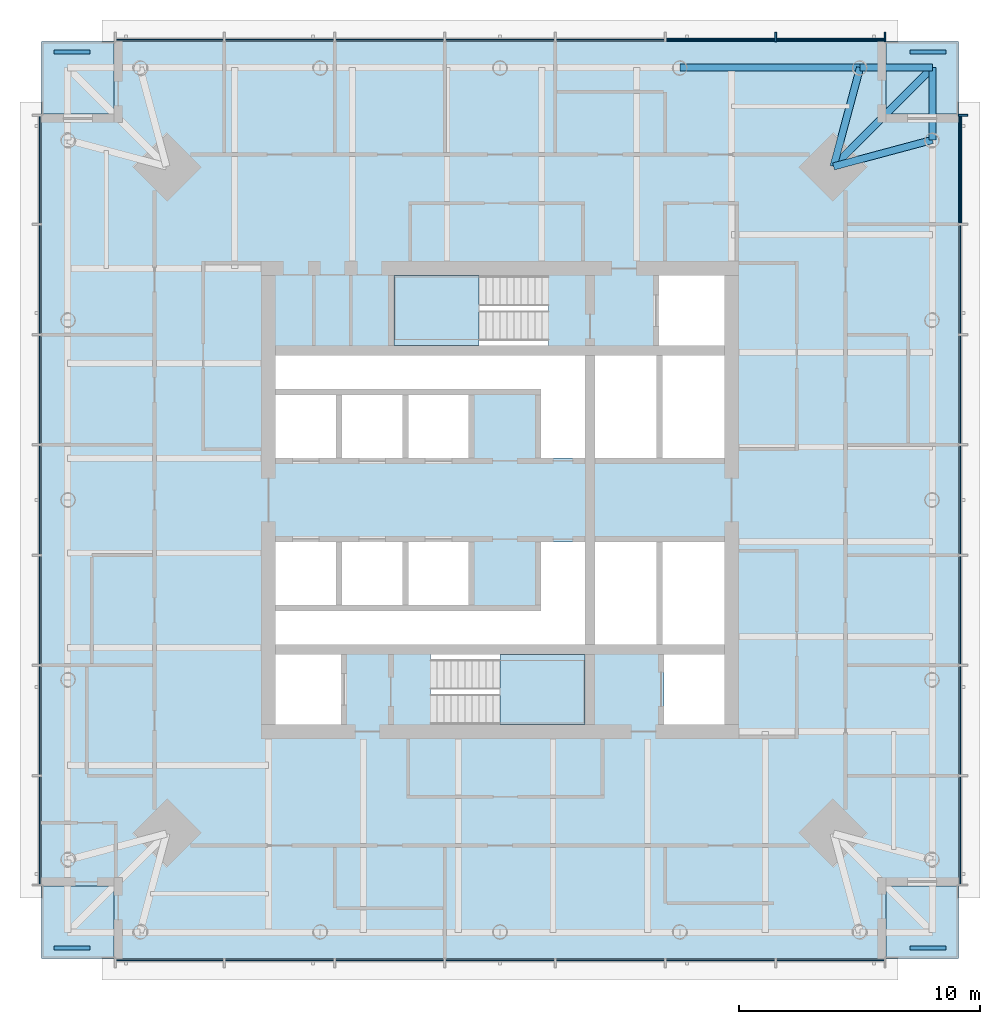
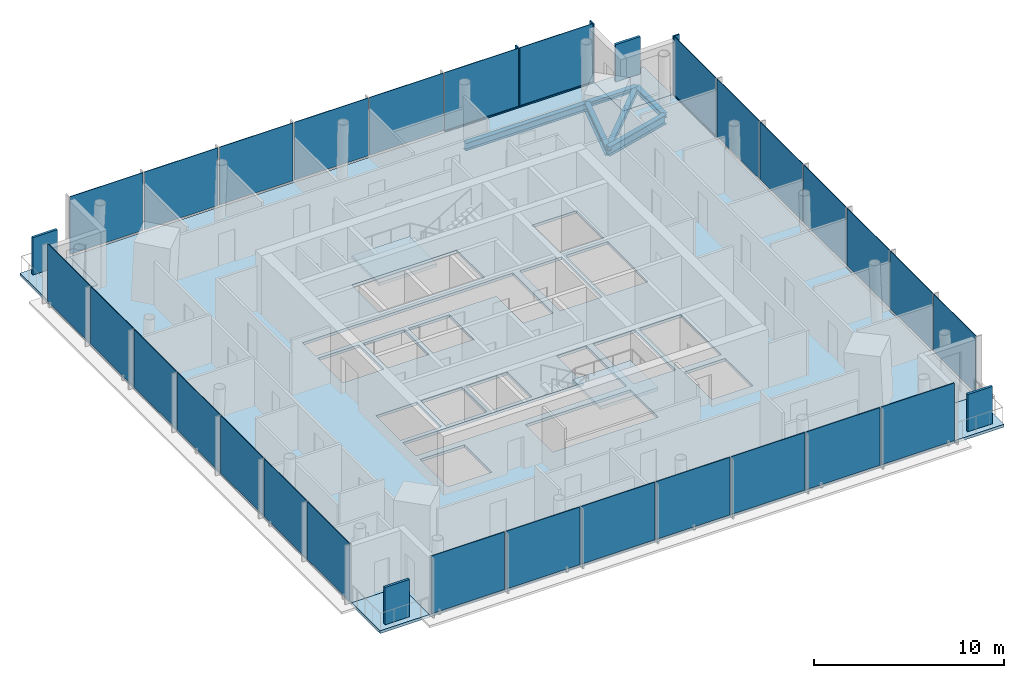
# One storey, part 3 of 11: 32 plates, 7 slabs, 6 beams, 6 members, 6 elements without a shape of their own.
"""IFC4 building model written with IfcOpenShell, lengths in metres."""

from ifc_helpers import new_model, si_unit, direction, frame, origin, origin_2d, place, context, subcontext, project, spatial, polyline, rectangle, i_section, outline, extrude, material, layer, layer_set, material_profile, profile_set, type_object, element, aggregate, save


model = new_model("IFC4")

# Units and contexts
model_context = context("Model", 3, precision=1e-05, world=origin(), true_north=direction((0.0, 1.0)))
body_context = subcontext(model_context, "Body", "Model", "MODEL_VIEW")
ifc_project = project(units=[si_unit("LENGTHUNIT", "METRE"), si_unit("AREAUNIT", "SQUARE_METRE"), si_unit("VOLUMEUNIT", "CUBIC_METRE"), si_unit("PLANEANGLEUNIT", "RADIAN"), si_unit("MASSUNIT", "GRAM", prefix="KILO")], contexts=[model_context])

# Site, building, storey
site_placement = place(None, origin())
site = spatial("IfcSite", under=ifc_project, at=site_placement, CompositionType="ELEMENT")
building_placement = place(site_placement, origin())
building = spatial("IfcBuilding", under=site, at=building_placement, Name="Ostroluk Exchange", CompositionType="ELEMENT")
storey_placement = place(building_placement, frame((0.0, 0.0, 211.0)))
storey = spatial("IfcBuildingStorey", under=building, at=storey_placement, Name="L54", CompositionType="ELEMENT", Elevation=211.0)

# Beams
ifc_material_1 = material(Name="Steel S355", Category="steel")
ifc_material_profile_1 = material_profile(ifc_material_1, i_section(OverallWidth=0.300048828125, OverallDepth=0.300048828125, WebThickness=0.010986328125, FlangeThickness=0.01904296875, FilletRadius=0.027099609375, at=origin_2d()), Name="HEB 300")
ifc_profile_set_1 = profile_set([ifc_material_profile_1], Name="Steel S355")
beam_type_1 = type_object("IfcBeamType", Name="Balcony beam HEB 300", PredefinedType="BEAM", material=ifc_profile_set_1)
for number, where, z_axis, x_axis, name in (
    (1, (62.928466796875, 60.928466796875, -0.330078125), (0.0, 1.0, 0.0), (-1.0, 0.0, 0.0), "T1 east balcony beam a"),
    (2, (59.928466796875, 63.928466796875, -0.330078125), (1.0, 0.0, 0.0), (0.0, 1.0, 0.0), "T1 east balcony beam b"),
):
    element("IfcBeam", number, at=place(storey_placement, frame(where, z_axis=z_axis, x_axis=x_axis)), inside=storey, type_object=beam_type_1, Name=name, PredefinedType="BEAM", context=body_context, shape_type="SweptSolid", body=[
        extrude(i_section(OverallWidth=0.300048828125, OverallDepth=0.300048828125, WebThickness=0.010986328125, FlangeThickness=0.01904296875, FilletRadius=0.027099609375, at=origin_2d()), origin(), (0.0, 0.0, 1.0), 3.0),
    ])
beam_1_placement = place(storey_placement, frame((58.82861328125, 59.82861328125, -0.330078125), z_axis=(0.707106781187, 0.707106781187, 0.0), x_axis=(-0.707106781187, 0.707106781187, 0.0)))
element("IfcBeam", 3, at=beam_1_placement, inside=storey, type_object=beam_type_1, Name="T1 east balcony beam c", PredefinedType="BEAM", context=body_context, shape_type="SweptSolid", body=[
    extrude(i_section(OverallWidth=0.300048828125, OverallDepth=0.300048828125, WebThickness=0.010986328125, FlangeThickness=0.01904296875, FilletRadius=0.027099609375, at=origin_2d()), origin(), (0.0, 0.0, 1.0), 5.798095703125),
])
ifc_material_2 = material(Name="Steel S355", Category="steel")
ifc_material_profile_2 = material_profile(ifc_material_2, i_section(OverallWidth=0.300048828125, OverallDepth=0.60009765625, WebThickness=0.015380859375, FlangeThickness=0.030029296875, FilletRadius=0.027099609375, at=origin_2d()), Name="HEB 600")
ifc_profile_set_2 = profile_set([ifc_material_profile_2], Name="Steel S355")
beam_type_2 = type_object("IfcBeamType", Name="Corner edge beam HEB 600", PredefinedType="SPANDREL", material=ifc_profile_set_2)
for number, where, z_axis, x_axis, name in (
    (4, (58.82861328125, 59.82861328125, -0.47998046875), (0.965849156574, 0.259105011038, 0.0), (-0.259105011038, 0.965849156574, 0.0), "T1 east corner edge beam a"),
    (5, (58.82861328125, 59.82861328125, -0.47998046875), (0.259105011038, 0.965849156574, 0.0), (-0.965849156574, 0.259105011038, 0.0), "T1 east corner edge beam b"),
):
    element("IfcBeam", number, at=place(storey_placement, frame(where, z_axis=z_axis, x_axis=x_axis)), inside=storey, type_object=beam_type_2, Name=name, PredefinedType="SPANDREL", context=body_context, shape_type="SweptSolid", body=[
        extrude(i_section(OverallWidth=0.300048828125, OverallDepth=0.60009765625, WebThickness=0.015380859375, FlangeThickness=0.030029296875, FilletRadius=0.027099609375, at=origin_2d()), origin(), (0.0, 0.0, 1.0), 4.244873046875),
    ])
ifc_material_3 = material(Name="Steel S355", Category="steel")
ifc_material_profile_3 = material_profile(ifc_material_3, i_section(OverallWidth=0.300048828125, OverallDepth=0.5, WebThickness=0.014404296875, FlangeThickness=0.028076171875, FilletRadius=0.027099609375, at=origin_2d()), Name="HEB 500")
ifc_profile_set_3 = profile_set([ifc_material_profile_3], Name="Steel S355")
beam_type_3 = type_object("IfcBeamType", Name="Moment-connected edge beam HEB 500", PredefinedType="SPANDREL", material=ifc_profile_set_3)
beam_2_placement = place(storey_placement, frame((59.928466796875, 63.928466796875, -0.429931640625), z_axis=(-1.0, 0.0, 0.0), x_axis=(0.0, -1.0, 0.0)))
element("IfcBeam", 6, at=beam_2_placement, inside=storey, type_object=beam_type_3, Name="T1 north edge beam 1", PredefinedType="SPANDREL", context=body_context, shape_type="SweptSolid", body=[
    extrude(i_section(OverallWidth=0.300048828125, OverallDepth=0.5, WebThickness=0.014404296875, FlangeThickness=0.028076171875, FilletRadius=0.027099609375, at=origin_2d()), origin(), (0.0, 0.0, 1.0), 7.464111328125),
])

# Curtain wall, member
ifc_material_4 = material(Name="Laminated clear glass", Category="glass")
curtain_wall_type = type_object("IfcCurtainWallType", Name="Office tower facade", PredefinedType="USERDEFINED", material=ifc_material_4)
curtain_wall_1_placement = place(storey_placement, origin())
curtain_wall_1 = element("IfcCurtainWall", 7, at=curtain_wall_1_placement, inside=storey, type_object=curtain_wall_type, Name="Office tower east facade L54", ObjectType="UNITISED CURTAIN WALL", PredefinedType="USERDEFINED")
ifc_material_5 = material(Name="Aluminium mullion", Category="aluminium")
ifc_material_profile_4 = material_profile(ifc_material_5, rectangle(XDim=0.14990234375, YDim=0.080078125, at=origin_2d()), Name="Sill transom 80 x 150")
ifc_profile_set_4 = profile_set([ifc_material_profile_4], Name="Aluminium mullion")
member_type_1 = type_object("IfcMemberType", Name="Sill transom 80 x 150", PredefinedType="USERDEFINED", material=ifc_profile_set_4)
member_1_placement = place(storey_placement, frame((64.074951171875, 57.468505859375, 0.0400390625), z_axis=(0.0, 1.0, 0.0), x_axis=(-1.0, 0.0, 0.0)))
member_1 = element("IfcMember", 8, at=member_1_placement, type_object=member_type_1, Name="CW-O1 transom 7.1", ObjectType="TRANSOM", PredefinedType="USERDEFINED", context=body_context, shape_type="SweptSolid", body=[
    extrude(rectangle(XDim=0.14990234375, YDim=0.080078125, at=origin_2d()), origin(), (0.0, 0.0, 1.0), 4.451416015625),
])

# Curtain wall, members
curtain_wall_2_placement = place(storey_placement, origin())
curtain_wall_2 = element("IfcCurtainWall", 9, at=curtain_wall_2_placement, inside=storey, type_object=curtain_wall_type, Name="Office tower north facade L54", ObjectType="UNITISED CURTAIN WALL", PredefinedType="USERDEFINED")
member_2_placement = place(storey_placement, frame((60.919921875, 65.074951171875, 0.0400390625), z_axis=(-1.0, 0.0, 0.0), x_axis=(0.0, -1.0, 0.0)))
member_2 = element("IfcMember", 10, at=member_2_placement, type_object=member_type_1, Name="CW-O1 transom 1.1", ObjectType="TRANSOM", PredefinedType="USERDEFINED", context=body_context, shape_type="SweptSolid", body=[
    extrude(rectangle(XDim=0.14990234375, YDim=0.080078125, at=origin_2d()), origin(), (0.0, 0.0, 1.0), 4.451416015625),
])
member_3_placement = place(storey_placement, frame((56.388671875, 65.074951171875, 0.0400390625), z_axis=(-1.0, 0.0, 0.0), x_axis=(0.0, -1.0, 0.0)))
member_3 = element("IfcMember", 11, at=member_3_placement, type_object=member_type_1, Name="CW-O1 transom 2.1", ObjectType="TRANSOM", PredefinedType="USERDEFINED", context=body_context, shape_type="SweptSolid", body=[
    extrude(rectangle(XDim=0.14990234375, YDim=0.080078125, at=origin_2d()), origin(), (0.0, 0.0, 1.0), 4.491455078125),
])

# Member
ifc_material_6 = material(Name="Aluminium mullion with limestone facing", Category="masonry")
ifc_material_profile_5 = material_profile(ifc_material_6, rectangle(XDim=0.39990234375, YDim=0.080078125, at=origin_2d()), Name="Tracery mullion 80 x 400")
ifc_profile_set_5 = profile_set([ifc_material_profile_5], Name="Aluminium mullion with limestone facing")
member_type_2 = type_object("IfcMemberType", Name="Tracery mullion 80 x 400", PredefinedType="MULLION", material=ifc_profile_set_5)
member_4_placement = place(storey_placement, frame((64.199951171875, 61.9599609375, 0.0), z_axis=(0.0, 0.0, 1.0), x_axis=(-1.0, 0.0, 0.0)))
member_4 = element("IfcMember", 12, at=member_4_placement, type_object=member_type_2, Name="CW-O1 mullion 8", PredefinedType="MULLION", context=body_context, shape_type="SweptSolid", body=[
    extrude(rectangle(XDim=0.39990234375, YDim=0.080078125, at=origin_2d()), origin(), (0.0, 0.0, 1.0), 3.800048828125),
])

member_5_placement = place(storey_placement, frame((60.9599609375, 65.199951171875, 0.0), z_axis=(0.0, 0.0, 1.0), x_axis=(0.0, -1.0, 0.0)))
member_5 = element("IfcMember", 13, at=member_5_placement, type_object=member_type_2, Name="CW-O1 mullion 1", PredefinedType="MULLION", context=body_context, shape_type="SweptSolid", body=[
    extrude(rectangle(XDim=0.39990234375, YDim=0.080078125, at=origin_2d()), origin(), (0.0, 0.0, 1.0), 3.800048828125),
])

member_6_placement = place(storey_placement, frame((56.428466796875, 65.199951171875, 0.0), z_axis=(0.0, 0.0, 1.0), x_axis=(0.0, -1.0, 0.0)))
member_6 = element("IfcMember", 14, at=member_6_placement, type_object=member_type_2, Name="CW-O1 mullion 2", PredefinedType="MULLION", context=body_context, shape_type="SweptSolid", body=[
    extrude(rectangle(XDim=0.39990234375, YDim=0.080078125, at=origin_2d()), origin(), (0.0, 0.0, 1.0), 3.800048828125),
])

# Slabs
ifc_material_7 = material(Name="Concrete C35/45", Category="concrete")
ifc_layer_1 = layer(ifc_material_7, 0.179931640625)
ifc_layer_set_1 = layer_set([ifc_layer_1], Name="Balcony slab 180")
slab_type_1 = type_object("IfcSlabType", Name="Balcony slab 180", PredefinedType="USERDEFINED", material=ifc_layer_set_1)
slab_1_placement = place(storey_placement, frame((0.0, 0.0, -0.179931640625)))
element("IfcSlab", 15, at=slab_1_placement, inside=storey, type_object=slab_type_1, Name="Office tower SE corner balcony L54", ObjectType="BALCONY", PredefinedType="USERDEFINED", context=body_context, shape_type="SweptSolid", body=[
    extrude(outline(polyline([(61.0, 27.0), (64.0, 27.0), (64.0, 30.0), (61.0, 30.0), (61.0, 27.0)])), origin(), (0.0, 0.0, 1.0), 0.179931640625),
])
slab_2_placement = place(storey_placement, frame((0.0, 0.0, -0.179931640625)))
element("IfcSlab", 16, at=slab_2_placement, inside=storey, type_object=slab_type_1, Name="Office tower NE corner balcony L54", ObjectType="BALCONY", PredefinedType="USERDEFINED", context=body_context, shape_type="SweptSolid", body=[
    extrude(outline(polyline([(61.0, 62.0), (64.0, 62.0), (64.0, 65.0), (61.0, 65.0), (61.0, 62.0)])), origin(), (0.0, 0.0, 1.0), 0.179931640625),
])
slab_3_placement = place(storey_placement, frame((0.0, 0.0, -0.179931640625)))
element("IfcSlab", 17, at=slab_3_placement, inside=storey, type_object=slab_type_1, Name="Office tower NW corner balcony L54", ObjectType="BALCONY", PredefinedType="USERDEFINED", context=body_context, shape_type="SweptSolid", body=[
    extrude(outline(polyline([(26.0, 62.0), (29.0, 62.0), (29.0, 65.0), (26.0, 65.0), (26.0, 62.0)])), origin(), (0.0, 0.0, 1.0), 0.179931640625),
])
slab_4_placement = place(storey_placement, frame((0.0, 0.0, -0.179931640625)))
element("IfcSlab", 18, at=slab_4_placement, inside=storey, type_object=slab_type_1, Name="Office tower SW corner balcony L54", ObjectType="BALCONY", PredefinedType="USERDEFINED", context=body_context, shape_type="SweptSolid", body=[
    extrude(outline(polyline([(26.0, 27.0), (29.0, 27.0), (29.0, 30.0), (26.0, 30.0), (26.0, 27.0)])), origin(), (0.0, 0.0, 1.0), 0.179931640625),
])

# Plates
ifc_material_8 = material(Name="Steel S355 trellis with planting", Category="steel")
ifc_layer_2 = layer(ifc_material_8, 0.14990234375)
ifc_layer_set_2 = layer_set([ifc_layer_2], Name="Planted screen 150")
plate_type_1 = type_object("IfcPlateType", Name="Planted screen 150", PredefinedType="USERDEFINED", material=ifc_layer_set_2)
for number, where, z_axis, x_axis, name in (
    (19, (62.75, 27.425048828125, 0.0), (0.0, 0.0, 1.0), (1.0, 0.0, 0.0), "Office tower SE planted screen L54"),
    (20, (62.75, 64.574951171875, 0.0), (0.0, 0.0, 1.0), (1.0, 0.0, 0.0), "Office tower NE planted screen L54"),
    (21, (27.25, 64.574951171875, 0.0), (0.0, 0.0, 1.0), (1.0, 0.0, 0.0), "Office tower NW planted screen L54"),
    (22, (27.25, 27.425048828125, 0.0), (0.0, 0.0, 1.0), (1.0, 0.0, 0.0), "Office tower SW planted screen L54"),
):
    element("IfcPlate", number, at=place(storey_placement, frame(where, z_axis=z_axis, x_axis=x_axis)), inside=storey, type_object=plate_type_1, Name=name, ObjectType="PLANTED SCREEN", PredefinedType="USERDEFINED", context=body_context, shape_type="SweptSolid", body=[
        extrude(rectangle(XDim=1.5, YDim=0.14990234375, at=origin_2d()), origin(), (0.0, 0.0, 1.0), 2.39990234375),
    ])

# Stair, slab
ifc_material_9 = material(Name="Concrete C30/37", Category="concrete")
stair_type = type_object("IfcStairType", Name="Exit stair half turn 3800", PredefinedType="HALF_TURN_STAIR", material=ifc_material_9)
stair_1_placement = place(storey_placement, origin())
stair_1 = element("IfcStair", 23, at=stair_1_placement, inside=storey, type_object=stair_type, Name="Stair T1-S1 L54", PredefinedType="HALF_TURN_STAIR")
ifc_material_10 = material(Name="Concrete C30/37", Category="concrete")
ifc_layer_3 = layer(ifc_material_10, 0.199951171875)
ifc_layer_set_3 = layer_set([ifc_layer_3], Name="Stair landing 200")
slab_type_2 = type_object("IfcSlabType", Name="Stair landing 200", PredefinedType="LANDING", material=ifc_layer_set_3)
slab_5_placement = place(storey_placement, frame((0.0, 0.0, 1.699951171875)))
slab_5 = element("IfcSlab", 24, at=slab_5_placement, type_object=slab_type_2, Name="T1-S1 landing 1", PredefinedType="LANDING", context=body_context, shape_type="SweptSolid", body=[
    extrude(outline(polyline([(45.0, 36.699951171875), (45.0, 39.60009765625), (48.530029296875, 39.60009765625), (48.530029296875, 36.699951171875), (45.0, 36.699951171875)])), origin(), (0.0, 0.0, 1.0), 0.199951171875),
])
aggregate(stair_1, [slab_5])

stair_2_placement = place(storey_placement, origin())
stair_2 = element("IfcStair", 25, at=stair_2_placement, inside=storey, type_object=stair_type, Name="Stair T1-S2 L54", PredefinedType="HALF_TURN_STAIR")
slab_6_placement = place(storey_placement, frame((0.0, 0.0, 1.699951171875)))
slab_6 = element("IfcSlab", 26, at=slab_6_placement, type_object=slab_type_2, Name="T1-S2 landing 1", PredefinedType="LANDING", context=body_context, shape_type="SweptSolid", body=[
    extrude(outline(polyline([(44.1298828125, 52.39990234375), (44.1298828125, 55.300048828125), (40.60009765625, 55.300048828125), (40.60009765625, 52.39990234375), (44.1298828125, 52.39990234375)])), origin(), (0.0, 0.0, 1.0), 0.199951171875),
])
aggregate(stair_2, [slab_6])

# Slab
ifc_material_11 = material(Name="Concrete C35/45", Category="concrete")
ifc_layer_4 = layer(ifc_material_11, 0.179931640625)
ifc_layer_set_4 = layer_set([ifc_layer_4], Name="Tower floor slab 180 composite")
slab_type_3 = type_object("IfcSlabType", Name="Tower floor slab 180 composite", PredefinedType="FLOOR", material=ifc_layer_set_4)
slab_7_placement = place(storey_placement, frame((0.0, 0.0, -0.179931640625)))
element("IfcSlab", 27, at=slab_7_placement, inside=storey, type_object=slab_type_3, Name="Office tower floor slab L54", PredefinedType="FLOOR", context=body_context, shape_type="SweptSolid", body=[
    extrude(outline(polyline([(29.0, 27.0), (61.0, 27.0), (61.0, 30.0), (64.0, 30.0), (64.0, 62.0), (61.0, 62.0), (61.0, 65.0), (29.0, 65.0), (29.0, 62.0), (26.0, 62.0), (26.0, 30.0), (29.0, 30.0), (29.0, 27.0)]), holes=[polyline([(35.699951171875, 36.699951171875), (38.39990234375, 36.699951171875), (38.39990234375, 39.60009765625), (35.699951171875, 39.60009765625), (35.699951171875, 36.699951171875)]), polyline([(42.110107421875, 36.699951171875), (48.530029296875, 36.699951171875), (48.530029296875, 39.60009765625), (42.110107421875, 39.60009765625), (42.110107421875, 36.699951171875)]), polyline([(51.800048828125, 36.699951171875), (54.300048828125, 36.699951171875), (54.300048828125, 39.60009765625), (51.800048828125, 39.60009765625), (51.800048828125, 36.699951171875)]), polyline([(40.60009765625, 52.39990234375), (47.02001953125, 52.39990234375), (47.02001953125, 55.300048828125), (40.60009765625, 55.300048828125), (40.60009765625, 52.39990234375)]), polyline([(51.60009765625, 52.39990234375), (54.300048828125, 52.39990234375), (54.300048828125, 55.300048828125), (51.60009765625, 55.300048828125), (51.60009765625, 52.39990234375)]), polyline([(35.699951171875, 47.75), (38.199951171875, 47.75), (38.199951171875, 50.35009765625), (35.699951171875, 50.35009765625), (35.699951171875, 47.75)]), polyline([(38.449951171875, 47.75), (40.949951171875, 47.75), (40.949951171875, 50.35009765625), (38.449951171875, 50.35009765625), (38.449951171875, 47.75)]), polyline([(41.199951171875, 47.75), (43.699951171875, 47.75), (43.699951171875, 50.35009765625), (41.199951171875, 50.35009765625), (41.199951171875, 47.75)]), polyline([(35.699951171875, 41.64990234375), (38.199951171875, 41.64990234375), (38.199951171875, 44.25), (35.699951171875, 44.25), (35.699951171875, 41.64990234375)]), polyline([(38.449951171875, 41.64990234375), (40.949951171875, 41.64990234375), (40.949951171875, 44.25), (38.449951171875, 44.25), (38.449951171875, 41.64990234375)]), polyline([(41.199951171875, 41.64990234375), (43.699951171875, 41.64990234375), (43.699951171875, 44.25), (41.199951171875, 44.25), (41.199951171875, 41.64990234375)]), polyline([(48.929931640625, 47.75), (51.489990234375, 47.75), (51.489990234375, 52.0), (48.929931640625, 52.0), (48.929931640625, 47.75)]), polyline([(51.739990234375, 47.75), (54.300048828125, 47.75), (54.300048828125, 52.0), (51.739990234375, 52.0), (51.739990234375, 47.75)]), polyline([(48.929931640625, 40.0), (51.489990234375, 40.0), (51.489990234375, 44.25), (48.929931640625, 44.25), (48.929931640625, 40.0)]), polyline([(51.739990234375, 40.0), (54.300048828125, 40.0), (54.300048828125, 44.25), (51.739990234375, 44.25), (51.739990234375, 40.0)]), polyline([(48.530029296875, 52.0), (48.530029296875, 47.75), (46.699951171875, 47.75), (46.699951171875, 50.60009765625), (35.699951171875, 50.60009765625), (35.699951171875, 52.0), (48.530029296875, 52.0)]), polyline([(35.699951171875, 40.0), (35.699951171875, 41.39990234375), (46.699951171875, 41.39990234375), (46.699951171875, 44.25), (48.530029296875, 44.25), (48.530029296875, 40.0), (35.699951171875, 40.0)])]), origin(), (0.0, 0.0, 1.0), 0.179931640625),
])

# Curtain wall, plates
curtain_wall_3_placement = place(storey_placement, origin())
curtain_wall_3 = element("IfcCurtainWall", 28, at=curtain_wall_3_placement, inside=storey, type_object=curtain_wall_type, Name="Office tower south facade L54", ObjectType="UNITISED CURTAIN WALL", PredefinedType="USERDEFINED")
ifc_material_12 = material(Name="Laminated clear glass", Category="glass")
ifc_layer_5 = layer(ifc_material_12, 0.0439453125)
ifc_layer_set_5 = layer_set([ifc_layer_5], Name="Triple laminated clear glazing 44")
plate_type_2 = type_object("IfcPlateType", Name="Triple laminated clear glazing 44", PredefinedType="CURTAIN_PANEL", material=ifc_layer_set_5)
plate_1_placement = place(storey_placement, frame((31.3056640625, 26.925048828125, 0.080078125), z_axis=(0.0, 0.0, 1.0), x_axis=(1.0, 0.0, 0.0)))
plate_1 = element("IfcPlate", 29, at=plate_1_placement, type_object=plate_type_2, Name="CW-O1 panel 1.1", PredefinedType="CURTAIN_PANEL", context=body_context, shape_type="SweptSolid", body=[
    extrude(rectangle(XDim=4.451416015625, YDim=0.0439453125, at=origin_2d()), origin(), (0.0, 0.0, 1.0), 3.719970703125),
])
plate_2_placement = place(storey_placement, frame((35.857177734375, 26.925048828125, 0.080078125), z_axis=(0.0, 0.0, 1.0), x_axis=(1.0, 0.0, 0.0)))
plate_2 = element("IfcPlate", 30, at=plate_2_placement, type_object=plate_type_2, Name="CW-O1 panel 2.1", PredefinedType="CURTAIN_PANEL", context=body_context, shape_type="SweptSolid", body=[
    extrude(rectangle(XDim=4.491455078125, YDim=0.0439453125, at=origin_2d()), origin(), (0.0, 0.0, 1.0), 3.719970703125),
])
plate_3_placement = place(storey_placement, frame((40.428466796875, 26.925048828125, 0.080078125), z_axis=(0.0, 0.0, 1.0), x_axis=(1.0, 0.0, 0.0)))
plate_3 = element("IfcPlate", 31, at=plate_3_placement, type_object=plate_type_2, Name="CW-O1 panel 3.1", PredefinedType="CURTAIN_PANEL", context=body_context, shape_type="SweptSolid", body=[
    extrude(rectangle(XDim=4.491455078125, YDim=0.0439453125, at=origin_2d()), origin(), (0.0, 0.0, 1.0), 3.719970703125),
])
plate_4_placement = place(storey_placement, frame((45.0, 26.925048828125, 0.080078125), z_axis=(0.0, 0.0, 1.0), x_axis=(1.0, 0.0, 0.0)))
plate_4 = element("IfcPlate", 32, at=plate_4_placement, type_object=plate_type_2, Name="CW-O1 panel 4.1", PredefinedType="CURTAIN_PANEL", context=body_context, shape_type="SweptSolid", body=[
    extrude(rectangle(XDim=4.491455078125, YDim=0.0439453125, at=origin_2d()), origin(), (0.0, 0.0, 1.0), 3.719970703125),
])
plate_5_placement = place(storey_placement, frame((49.571533203125, 26.925048828125, 0.080078125), z_axis=(0.0, 0.0, 1.0), x_axis=(1.0, 0.0, 0.0)))
plate_5 = element("IfcPlate", 33, at=plate_5_placement, type_object=plate_type_2, Name="CW-O1 panel 5.1", PredefinedType="CURTAIN_PANEL", context=body_context, shape_type="SweptSolid", body=[
    extrude(rectangle(XDim=4.491455078125, YDim=0.0439453125, at=origin_2d()), origin(), (0.0, 0.0, 1.0), 3.719970703125),
])
plate_6_placement = place(storey_placement, frame((54.142822265625, 26.925048828125, 0.080078125), z_axis=(0.0, 0.0, 1.0), x_axis=(1.0, 0.0, 0.0)))
plate_6 = element("IfcPlate", 34, at=plate_6_placement, type_object=plate_type_2, Name="CW-O1 panel 6.1", PredefinedType="CURTAIN_PANEL", context=body_context, shape_type="SweptSolid", body=[
    extrude(rectangle(XDim=4.491455078125, YDim=0.0439453125, at=origin_2d()), origin(), (0.0, 0.0, 1.0), 3.719970703125),
])
plate_7_placement = place(storey_placement, frame((58.6943359375, 26.925048828125, 0.080078125), z_axis=(0.0, 0.0, 1.0), x_axis=(1.0, 0.0, 0.0)))
plate_7 = element("IfcPlate", 35, at=plate_7_placement, type_object=plate_type_2, Name="CW-O1 panel 7.1", PredefinedType="CURTAIN_PANEL", context=body_context, shape_type="SweptSolid", body=[
    extrude(rectangle(XDim=4.451416015625, YDim=0.0439453125, at=origin_2d()), origin(), (0.0, 0.0, 1.0), 3.719970703125),
])
aggregate(curtain_wall_3, [plate_1, plate_2, plate_3, plate_4, plate_5, plate_6, plate_7])

# Plate
plate_8_placement = place(storey_placement, frame((64.074951171875, 32.3056640625, 0.080078125), z_axis=(0.0, 0.0, 1.0), x_axis=(0.0, 1.0, 0.0)))
plate_8 = element("IfcPlate", 36, at=plate_8_placement, type_object=plate_type_2, Name="CW-O1 panel 1.1", PredefinedType="CURTAIN_PANEL", context=body_context, shape_type="SweptSolid", body=[
    extrude(rectangle(XDim=4.451416015625, YDim=0.0439453125, at=origin_2d()), origin(), (0.0, 0.0, 1.0), 3.719970703125),
])

plate_9_placement = place(storey_placement, frame((64.074951171875, 36.857177734375, 0.080078125), z_axis=(0.0, 0.0, 1.0), x_axis=(0.0, 1.0, 0.0)))
plate_9 = element("IfcPlate", 37, at=plate_9_placement, type_object=plate_type_2, Name="CW-O1 panel 2.1", PredefinedType="CURTAIN_PANEL", context=body_context, shape_type="SweptSolid", body=[
    extrude(rectangle(XDim=4.491455078125, YDim=0.0439453125, at=origin_2d()), origin(), (0.0, 0.0, 1.0), 3.719970703125),
])

plate_10_placement = place(storey_placement, frame((64.074951171875, 41.428466796875, 0.080078125), z_axis=(0.0, 0.0, 1.0), x_axis=(0.0, 1.0, 0.0)))
plate_10 = element("IfcPlate", 38, at=plate_10_placement, type_object=plate_type_2, Name="CW-O1 panel 3.1", PredefinedType="CURTAIN_PANEL", context=body_context, shape_type="SweptSolid", body=[
    extrude(rectangle(XDim=4.491455078125, YDim=0.0439453125, at=origin_2d()), origin(), (0.0, 0.0, 1.0), 3.719970703125),
])

plate_11_placement = place(storey_placement, frame((64.074951171875, 46.0, 0.080078125), z_axis=(0.0, 0.0, 1.0), x_axis=(0.0, 1.0, 0.0)))
plate_11 = element("IfcPlate", 39, at=plate_11_placement, type_object=plate_type_2, Name="CW-O1 panel 4.1", PredefinedType="CURTAIN_PANEL", context=body_context, shape_type="SweptSolid", body=[
    extrude(rectangle(XDim=4.491455078125, YDim=0.0439453125, at=origin_2d()), origin(), (0.0, 0.0, 1.0), 3.719970703125),
])

plate_12_placement = place(storey_placement, frame((64.074951171875, 50.571533203125, 0.080078125), z_axis=(0.0, 0.0, 1.0), x_axis=(0.0, 1.0, 0.0)))
plate_12 = element("IfcPlate", 40, at=plate_12_placement, type_object=plate_type_2, Name="CW-O1 panel 5.1", PredefinedType="CURTAIN_PANEL", context=body_context, shape_type="SweptSolid", body=[
    extrude(rectangle(XDim=4.491455078125, YDim=0.0439453125, at=origin_2d()), origin(), (0.0, 0.0, 1.0), 3.719970703125),
])

plate_13_placement = place(storey_placement, frame((64.074951171875, 55.142822265625, 0.080078125), z_axis=(0.0, 0.0, 1.0), x_axis=(0.0, 1.0, 0.0)))
plate_13 = element("IfcPlate", 41, at=plate_13_placement, type_object=plate_type_2, Name="CW-O1 panel 6.1", PredefinedType="CURTAIN_PANEL", context=body_context, shape_type="SweptSolid", body=[
    extrude(rectangle(XDim=4.491455078125, YDim=0.0439453125, at=origin_2d()), origin(), (0.0, 0.0, 1.0), 3.719970703125),
])

plate_14_placement = place(storey_placement, frame((64.074951171875, 59.6943359375, 0.080078125), z_axis=(0.0, 0.0, 1.0), x_axis=(0.0, 1.0, 0.0)))
plate_14 = element("IfcPlate", 42, at=plate_14_placement, type_object=plate_type_2, Name="CW-O1 panel 7.1", PredefinedType="CURTAIN_PANEL", context=body_context, shape_type="SweptSolid", body=[
    extrude(rectangle(XDim=4.451416015625, YDim=0.0439453125, at=origin_2d()), origin(), (0.0, 0.0, 1.0), 3.719970703125),
])

aggregate(curtain_wall_1, [member_4, plate_8, plate_9, plate_10, plate_11, plate_12, plate_13, member_1, plate_14])

plate_15_placement = place(storey_placement, frame((58.6943359375, 65.074951171875, 0.080078125), z_axis=(0.0, 0.0, 1.0), x_axis=(-1.0, 0.0, 0.0)))
plate_15 = element("IfcPlate", 43, at=plate_15_placement, type_object=plate_type_2, Name="CW-O1 panel 1.1", PredefinedType="CURTAIN_PANEL", context=body_context, shape_type="SweptSolid", body=[
    extrude(rectangle(XDim=4.451416015625, YDim=0.0439453125, at=origin_2d()), origin(), (0.0, 0.0, 1.0), 3.719970703125),
])

plate_16_placement = place(storey_placement, frame((54.142822265625, 65.074951171875, 0.080078125), z_axis=(0.0, 0.0, 1.0), x_axis=(-1.0, 0.0, 0.0)))
plate_16 = element("IfcPlate", 44, at=plate_16_placement, type_object=plate_type_2, Name="CW-O1 panel 2.1", PredefinedType="CURTAIN_PANEL", context=body_context, shape_type="SweptSolid", body=[
    extrude(rectangle(XDim=4.491455078125, YDim=0.0439453125, at=origin_2d()), origin(), (0.0, 0.0, 1.0), 3.719970703125),
])

plate_17_placement = place(storey_placement, frame((49.571533203125, 65.074951171875, 0.080078125), z_axis=(0.0, 0.0, 1.0), x_axis=(-1.0, 0.0, 0.0)))
plate_17 = element("IfcPlate", 45, at=plate_17_placement, type_object=plate_type_2, Name="CW-O1 panel 3.1", PredefinedType="CURTAIN_PANEL", context=body_context, shape_type="SweptSolid", body=[
    extrude(rectangle(XDim=4.491455078125, YDim=0.0439453125, at=origin_2d()), origin(), (0.0, 0.0, 1.0), 3.719970703125),
])

plate_18_placement = place(storey_placement, frame((45.0, 65.074951171875, 0.080078125), z_axis=(0.0, 0.0, 1.0), x_axis=(-1.0, 0.0, 0.0)))
plate_18 = element("IfcPlate", 46, at=plate_18_placement, type_object=plate_type_2, Name="CW-O1 panel 4.1", PredefinedType="CURTAIN_PANEL", context=body_context, shape_type="SweptSolid", body=[
    extrude(rectangle(XDim=4.491455078125, YDim=0.0439453125, at=origin_2d()), origin(), (0.0, 0.0, 1.0), 3.719970703125),
])

plate_19_placement = place(storey_placement, frame((40.428466796875, 65.074951171875, 0.080078125), z_axis=(0.0, 0.0, 1.0), x_axis=(-1.0, 0.0, 0.0)))
plate_19 = element("IfcPlate", 47, at=plate_19_placement, type_object=plate_type_2, Name="CW-O1 panel 5.1", PredefinedType="CURTAIN_PANEL", context=body_context, shape_type="SweptSolid", body=[
    extrude(rectangle(XDim=4.491455078125, YDim=0.0439453125, at=origin_2d()), origin(), (0.0, 0.0, 1.0), 3.719970703125),
])

plate_20_placement = place(storey_placement, frame((35.857177734375, 65.074951171875, 0.080078125), z_axis=(0.0, 0.0, 1.0), x_axis=(-1.0, 0.0, 0.0)))
plate_20 = element("IfcPlate", 48, at=plate_20_placement, type_object=plate_type_2, Name="CW-O1 panel 6.1", PredefinedType="CURTAIN_PANEL", context=body_context, shape_type="SweptSolid", body=[
    extrude(rectangle(XDim=4.491455078125, YDim=0.0439453125, at=origin_2d()), origin(), (0.0, 0.0, 1.0), 3.719970703125),
])

plate_21_placement = place(storey_placement, frame((31.3056640625, 65.074951171875, 0.080078125), z_axis=(0.0, 0.0, 1.0), x_axis=(-1.0, 0.0, 0.0)))
plate_21 = element("IfcPlate", 49, at=plate_21_placement, type_object=plate_type_2, Name="CW-O1 panel 7.1", PredefinedType="CURTAIN_PANEL", context=body_context, shape_type="SweptSolid", body=[
    extrude(rectangle(XDim=4.451416015625, YDim=0.0439453125, at=origin_2d()), origin(), (0.0, 0.0, 1.0), 3.719970703125),
])

aggregate(curtain_wall_2, [member_5, member_6, member_2, plate_15, member_3, plate_16, plate_17, plate_18, plate_19, plate_20, plate_21])

# Curtain wall, plates
curtain_wall_4_placement = place(storey_placement, origin())
curtain_wall_4 = element("IfcCurtainWall", 50, at=curtain_wall_4_placement, inside=storey, type_object=curtain_wall_type, Name="Office tower west facade L54", ObjectType="UNITISED CURTAIN WALL", PredefinedType="USERDEFINED")
plate_22_placement = place(storey_placement, frame((25.925048828125, 59.6943359375, 0.080078125), z_axis=(0.0, 0.0, 1.0), x_axis=(0.0, -1.0, 0.0)))
plate_22 = element("IfcPlate", 51, at=plate_22_placement, type_object=plate_type_2, Name="CW-O1 panel 1.1", PredefinedType="CURTAIN_PANEL", context=body_context, shape_type="SweptSolid", body=[
    extrude(rectangle(XDim=4.451416015625, YDim=0.0439453125, at=origin_2d()), origin(), (0.0, 0.0, 1.0), 3.719970703125),
])
plate_23_placement = place(storey_placement, frame((25.925048828125, 55.142822265625, 0.080078125), z_axis=(0.0, 0.0, 1.0), x_axis=(0.0, -1.0, 0.0)))
plate_23 = element("IfcPlate", 52, at=plate_23_placement, type_object=plate_type_2, Name="CW-O1 panel 2.1", PredefinedType="CURTAIN_PANEL", context=body_context, shape_type="SweptSolid", body=[
    extrude(rectangle(XDim=4.491455078125, YDim=0.0439453125, at=origin_2d()), origin(), (0.0, 0.0, 1.0), 3.719970703125),
])
plate_24_placement = place(storey_placement, frame((25.925048828125, 50.571533203125, 0.080078125), z_axis=(0.0, 0.0, 1.0), x_axis=(0.0, -1.0, 0.0)))
plate_24 = element("IfcPlate", 53, at=plate_24_placement, type_object=plate_type_2, Name="CW-O1 panel 3.1", PredefinedType="CURTAIN_PANEL", context=body_context, shape_type="SweptSolid", body=[
    extrude(rectangle(XDim=4.491455078125, YDim=0.0439453125, at=origin_2d()), origin(), (0.0, 0.0, 1.0), 3.719970703125),
])
plate_25_placement = place(storey_placement, frame((25.925048828125, 46.0, 0.080078125), z_axis=(0.0, 0.0, 1.0), x_axis=(0.0, -1.0, 0.0)))
plate_25 = element("IfcPlate", 54, at=plate_25_placement, type_object=plate_type_2, Name="CW-O1 panel 4.1", PredefinedType="CURTAIN_PANEL", context=body_context, shape_type="SweptSolid", body=[
    extrude(rectangle(XDim=4.491455078125, YDim=0.0439453125, at=origin_2d()), origin(), (0.0, 0.0, 1.0), 3.719970703125),
])
plate_26_placement = place(storey_placement, frame((25.925048828125, 41.428466796875, 0.080078125), z_axis=(0.0, 0.0, 1.0), x_axis=(0.0, -1.0, 0.0)))
plate_26 = element("IfcPlate", 55, at=plate_26_placement, type_object=plate_type_2, Name="CW-O1 panel 5.1", PredefinedType="CURTAIN_PANEL", context=body_context, shape_type="SweptSolid", body=[
    extrude(rectangle(XDim=4.491455078125, YDim=0.0439453125, at=origin_2d()), origin(), (0.0, 0.0, 1.0), 3.719970703125),
])
plate_27_placement = place(storey_placement, frame((25.925048828125, 36.857177734375, 0.080078125), z_axis=(0.0, 0.0, 1.0), x_axis=(0.0, -1.0, 0.0)))
plate_27 = element("IfcPlate", 56, at=plate_27_placement, type_object=plate_type_2, Name="CW-O1 panel 6.1", PredefinedType="CURTAIN_PANEL", context=body_context, shape_type="SweptSolid", body=[
    extrude(rectangle(XDim=4.491455078125, YDim=0.0439453125, at=origin_2d()), origin(), (0.0, 0.0, 1.0), 3.719970703125),
])
plate_28_placement = place(storey_placement, frame((25.925048828125, 32.3056640625, 0.080078125), z_axis=(0.0, 0.0, 1.0), x_axis=(0.0, -1.0, 0.0)))
plate_28 = element("IfcPlate", 57, at=plate_28_placement, type_object=plate_type_2, Name="CW-O1 panel 7.1", PredefinedType="CURTAIN_PANEL", context=body_context, shape_type="SweptSolid", body=[
    extrude(rectangle(XDim=4.451416015625, YDim=0.0439453125, at=origin_2d()), origin(), (0.0, 0.0, 1.0), 3.719970703125),
])
aggregate(curtain_wall_4, [plate_22, plate_23, plate_24, plate_25, plate_26, plate_27, plate_28])

save(model, "model.ifc")
